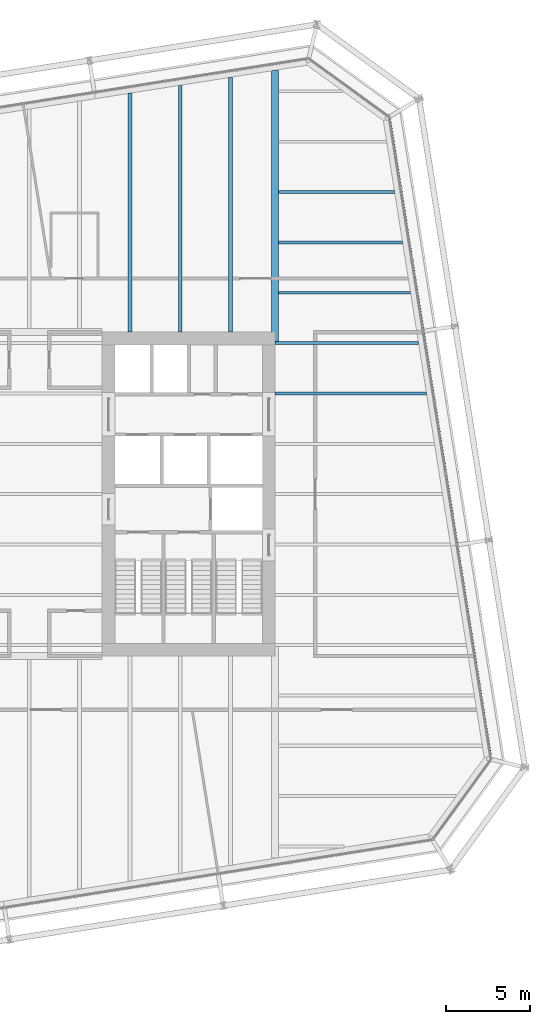
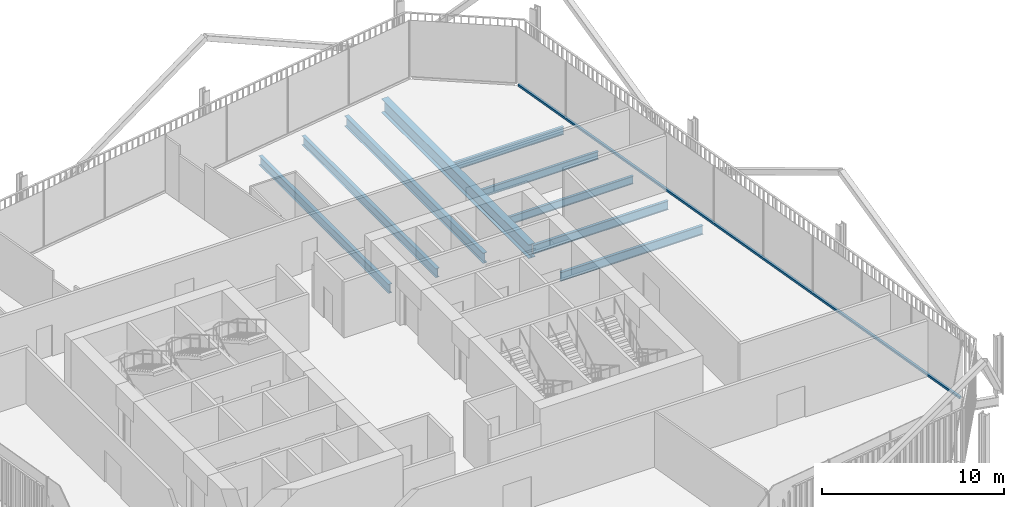
# One storey, part 14 of 22: 9 beams, 1 member, 1 element without a shape of its own.
"""IFC4 building model written with IfcOpenShell, lengths in metres."""

from ifc_helpers import new_model, si_unit, direction, frame, origin, origin_2d, place, context, subcontext, project, spatial, rectangle, i_section, extrude, material, layer, layer_set, material_profile, profile_set, type_object, element, aggregate, save


model = new_model("IFC4")

# Units and contexts
model_context = context("Model", 3, precision=1e-05, world=origin(), true_north=direction((0.0, 1.0)))
body_context = subcontext(model_context, "Body", "Model", "MODEL_VIEW")
ifc_project = project(units=[si_unit("LENGTHUNIT", "METRE"), si_unit("AREAUNIT", "SQUARE_METRE"), si_unit("VOLUMEUNIT", "CUBIC_METRE"), si_unit("PLANEANGLEUNIT", "RADIAN"), si_unit("MASSUNIT", "GRAM", prefix="KILO")], contexts=[model_context])

# Site, building, storey
site_placement = place(None, origin())
site = spatial("IfcSite", under=ifc_project, at=site_placement, CompositionType="ELEMENT")
building_placement = place(site_placement, origin())
building = spatial("IfcBuilding", under=site, at=building_placement, Name="Millrace Tower", CompositionType="ELEMENT")
storey_placement = place(building_placement, frame((0.0, 0.0, 137.300048828125)))
storey = spatial("IfcBuildingStorey", under=building, at=storey_placement, Name="L30", CompositionType="ELEMENT", Elevation=137.300048828125)

# Curtain wall, member
ifc_material_1 = material(Name="Aluminium and glass", Category="aluminium")
ifc_layer = layer(ifc_material_1, 0.14990234375)
ifc_layer_set = layer_set([ifc_layer], Name="Aluminium and glass")
curtain_wall_type = type_object("IfcCurtainWallType", Name="CW-1 office vision curtain wall", PredefinedType="NOTDEFINED", material=ifc_layer_set)
curtain_wall_placement = place(storey_placement, origin())
curtain_wall = element("IfcCurtainWall", 1, at=curtain_wall_placement, inside=storey, type_object=curtain_wall_type, Name="Curtain wall C-F04 L30", PredefinedType="NOTDEFINED")
ifc_material_2 = material(Name="Aluminium", Category="aluminium")
ifc_material_profile_1 = material_profile(ifc_material_2, rectangle(XDim=0.14990234375, YDim=0.139892578125, at=origin_2d()))
ifc_profile_set_1 = profile_set([ifc_material_profile_1], Name="Aluminium")
member_type = type_object("IfcMemberType", Name="CW-1 office vision curtain wall transom", PredefinedType="USERDEFINED", material=ifc_profile_set_1)
member_placement = place(storey_placement, frame((27.49609375, -15.675048828125, 0.070068359375), z_axis=(-0.156434402447, 0.987688350509, 0.0), x_axis=(-0.987688350509, -0.156434402447, 0.0)))
member = element("IfcMember", 2, at=member_placement, type_object=member_type, Name="CW1 transom C-F04.1", ObjectType="TRANSOM", PredefinedType="USERDEFINED", context=body_context, shape_type="SweptSolid", body=[
    extrude(rectangle(XDim=0.14990234375, YDim=0.139892578125, at=origin_2d()), origin(), (0.0, 0.0, 1.0), 38.499755859375),
])
aggregate(curtain_wall, [member])

# Beams
ifc_material_3 = material(Name="Steel ASTM A992 Grade 50", Category="steel")
ifc_material_profile_2 = material_profile(ifc_material_3, i_section(OverallWidth=0.1650390625, OverallDepth=0.52587890625, WebThickness=0.0087890625, FlangeThickness=0.011474609375, FilletRadius=0.0126953125, at=origin_2d()))
ifc_profile_set_2 = profile_set([ifc_material_profile_2], Name="Steel ASTM A992 Grade 50")
beam_type_1 = type_object("IfcBeamType", Name="Floor beam W21x44", PredefinedType="JOIST", material=ifc_profile_set_2)
beam_1_placement = place(storey_placement, frame((14.859619140625, 12.0, -0.4228515625), z_axis=(1.0, 0.0, 0.0), x_axis=(0.0, 1.0, 0.0)))
element("IfcBeam", 3, at=beam_1_placement, inside=storey, type_object=beam_type_1, Name="BM-C-L30-S1-S032", PredefinedType="JOIST", context=body_context, shape_type="SweptSolid", body=[
    extrude(i_section(OverallWidth=0.1650390625, OverallDepth=0.52587890625, WebThickness=0.0087890625, FlangeThickness=0.011474609375, FilletRadius=0.0126953125, at=origin_2d()), origin(), (0.0, 0.0, 1.0), 7.8662109375),
])
beam_2_placement = place(storey_placement, frame((14.859619140625, 15.0, -0.4228515625), z_axis=(1.0, 0.0, 0.0), x_axis=(0.0, 1.0, 0.0)))
element("IfcBeam", 4, at=beam_2_placement, inside=storey, type_object=beam_type_1, Name="BM-C-L30-S1-S034", PredefinedType="JOIST", context=body_context, shape_type="SweptSolid", body=[
    extrude(i_section(OverallWidth=0.1650390625, OverallDepth=0.52587890625, WebThickness=0.0087890625, FlangeThickness=0.011474609375, FilletRadius=0.0126953125, at=origin_2d()), origin(), (0.0, 0.0, 1.0), 7.390869140625),
])
beam_3_placement = place(storey_placement, frame((14.859619140625, 18.0, -0.4228515625), z_axis=(1.0, 0.0, 0.0), x_axis=(0.0, 1.0, 0.0)))
element("IfcBeam", 5, at=beam_3_placement, inside=storey, type_object=beam_type_1, Name="BM-C-L30-S1-S036", PredefinedType="JOIST", context=body_context, shape_type="SweptSolid", body=[
    extrude(i_section(OverallWidth=0.1650390625, OverallDepth=0.52587890625, WebThickness=0.0087890625, FlangeThickness=0.011474609375, FilletRadius=0.0126953125, at=origin_2d()), origin(), (0.0, 0.0, 1.0), 6.915771484375),
])
ifc_material_4 = material(Name="Steel ASTM A992 Grade 50", Category="steel")
ifc_material_profile_3 = material_profile(ifc_material_4, i_section(OverallWidth=0.177978515625, OverallDepth=0.599365234375, WebThickness=0.010009765625, FlangeThickness=0.012939453125, FilletRadius=0.012939453125, at=origin_2d()))
ifc_profile_set_3 = profile_set([ifc_material_profile_3], Name="Steel ASTM A992 Grade 50")
beam_type_2 = type_object("IfcBeamType", Name="Floor beam W24x55", PredefinedType="JOIST", material=ifc_profile_set_3)
beam_4_placement = place(storey_placement, frame((14.64990234375, 6.0, -0.459716796875), z_axis=(1.0, 0.0, 0.0), x_axis=(0.0, 1.0, 0.0)))
element("IfcBeam", 6, at=beam_4_placement, inside=storey, type_object=beam_type_2, Name="BM-C-L30-S1-S027", PredefinedType="JOIST", context=body_context, shape_type="SweptSolid", body=[
    extrude(i_section(OverallWidth=0.177978515625, OverallDepth=0.599365234375, WebThickness=0.010009765625, FlangeThickness=0.012939453125, FilletRadius=0.012939453125, at=origin_2d()), origin(), (0.0, 0.0, 1.0), 9.026123046875),
])
beam_5_placement = place(storey_placement, frame((14.64990234375, 9.0, -0.459716796875), z_axis=(1.0, 0.0, 0.0), x_axis=(0.0, 1.0, 0.0)))
element("IfcBeam", 7, at=beam_5_placement, inside=storey, type_object=beam_type_2, Name="BM-C-L30-S1-S030", PredefinedType="JOIST", context=body_context, shape_type="SweptSolid", body=[
    extrude(i_section(OverallWidth=0.177978515625, OverallDepth=0.599365234375, WebThickness=0.010009765625, FlangeThickness=0.012939453125, FilletRadius=0.012939453125, at=origin_2d()), origin(), (0.0, 0.0, 1.0), 8.551025390625),
])
ifc_material_5 = material(Name="Steel ASTM A992 Grade 50", Category="steel")
ifc_material_profile_4 = material_profile(ifc_material_5, i_section(OverallWidth=0.228271484375, OverallDepth=0.607177734375, WebThickness=0.01123046875, FlangeThickness=0.017333984375, FilletRadius=0.0126953125, at=origin_2d()))
ifc_profile_set_4 = profile_set([ifc_material_profile_4], Name="Steel ASTM A992 Grade 50")
beam_type_3 = type_object("IfcBeamType", Name="Floor beam W24x76", PredefinedType="JOIST", material=ifc_profile_set_4)
beam_6_placement = place(storey_placement, frame((6.0, 9.64990234375, -0.463623046875), z_axis=(0.0, 1.0, 0.0), x_axis=(-1.0, 0.0, 0.0)))
element("IfcBeam", 8, at=beam_6_placement, inside=storey, type_object=beam_type_3, Name="BM-C-L30-S1-S051", PredefinedType="JOIST", context=body_context, shape_type="SweptSolid", body=[
    extrude(i_section(OverallWidth=0.228271484375, OverallDepth=0.607177734375, WebThickness=0.01123046875, FlangeThickness=0.017333984375, FilletRadius=0.0126953125, at=origin_2d()), origin(), (0.0, 0.0, 1.0), 14.2421875),
])
beam_7_placement = place(storey_placement, frame((9.0, 9.64990234375, -0.463623046875), z_axis=(0.0, 1.0, 0.0), x_axis=(-1.0, 0.0, 0.0)))
element("IfcBeam", 9, at=beam_7_placement, inside=storey, type_object=beam_type_3, Name="BM-C-L30-S1-S053", PredefinedType="JOIST", context=body_context, shape_type="SweptSolid", body=[
    extrude(i_section(OverallWidth=0.228271484375, OverallDepth=0.607177734375, WebThickness=0.01123046875, FlangeThickness=0.017333984375, FilletRadius=0.0126953125, at=origin_2d()), origin(), (0.0, 0.0, 1.0), 14.71728515625),
])
ifc_material_6 = material(Name="Steel ASTM A992 Grade 50", Category="steel")
ifc_material_profile_5 = material_profile(ifc_material_6, i_section(OverallWidth=0.256591796875, OverallDepth=0.693359375, WebThickness=0.014404296875, FlangeThickness=0.023681640625, FilletRadius=0.01513671875, at=origin_2d()))
ifc_profile_set_5 = profile_set([ifc_material_profile_5], Name="Steel ASTM A992 Grade 50")
beam_type_4 = type_object("IfcBeamType", Name="Floor beam W27x114", PredefinedType="JOIST", material=ifc_profile_set_5)
beam_8_placement = place(storey_placement, frame((12.0, 9.64990234375, -0.5068359375), z_axis=(0.0, 1.0, 0.0), x_axis=(-1.0, 0.0, 0.0)))
element("IfcBeam", 10, at=beam_8_placement, inside=storey, type_object=beam_type_4, Name="BM-C-L30-S1-S055", PredefinedType="JOIST", context=body_context, shape_type="SweptSolid", body=[
    extrude(i_section(OverallWidth=0.256591796875, OverallDepth=0.693359375, WebThickness=0.014404296875, FlangeThickness=0.023681640625, FilletRadius=0.01513671875, at=origin_2d()), origin(), (0.0, 0.0, 1.0), 15.1923828125),
])
ifc_material_7 = material(Name="Steel ASTM A992 Grade 50", Category="steel")
ifc_material_profile_6 = material_profile(ifc_material_7, i_section(OverallWidth=0.419189453125, OverallDepth=0.927001953125, WebThickness=0.019287109375, FlangeThickness=0.031982421875, FilletRadius=0.024169921875, at=origin_2d()))
ifc_profile_set_6 = profile_set([ifc_material_profile_6], Name="Steel ASTM A992 Grade 50")
beam_type_5 = type_object("IfcBeamType", Name="Girder medium span W36x231", PredefinedType="BEAM", material=ifc_profile_set_6)
beam_9_placement = place(storey_placement, frame((14.64990234375, 9.090087890625, -0.62353515625), z_axis=(0.0, 1.0, 0.0), x_axis=(-1.0, 0.0, 0.0)))
element("IfcBeam", 11, at=beam_9_placement, inside=storey, type_object=beam_type_5, Name="BM-C-L30-S1-G059", PredefinedType="BEAM", context=body_context, shape_type="SweptSolid", body=[
    extrude(i_section(OverallWidth=0.419189453125, OverallDepth=0.927001953125, WebThickness=0.019287109375, FlangeThickness=0.031982421875, FilletRadius=0.024169921875, at=origin_2d()), origin(), (0.0, 0.0, 1.0), 16.1640625),
])

save(model, "model.ifc")
